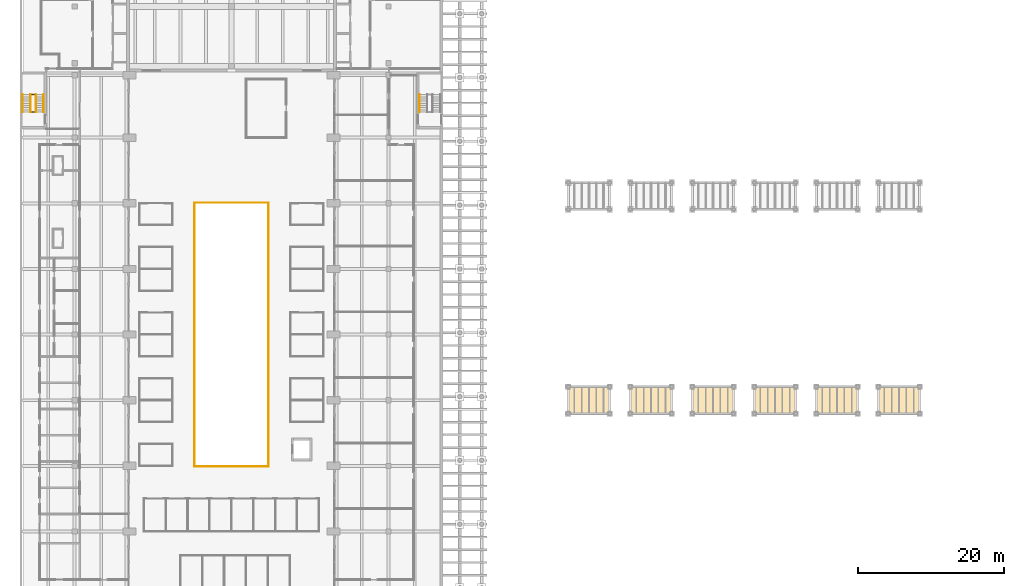
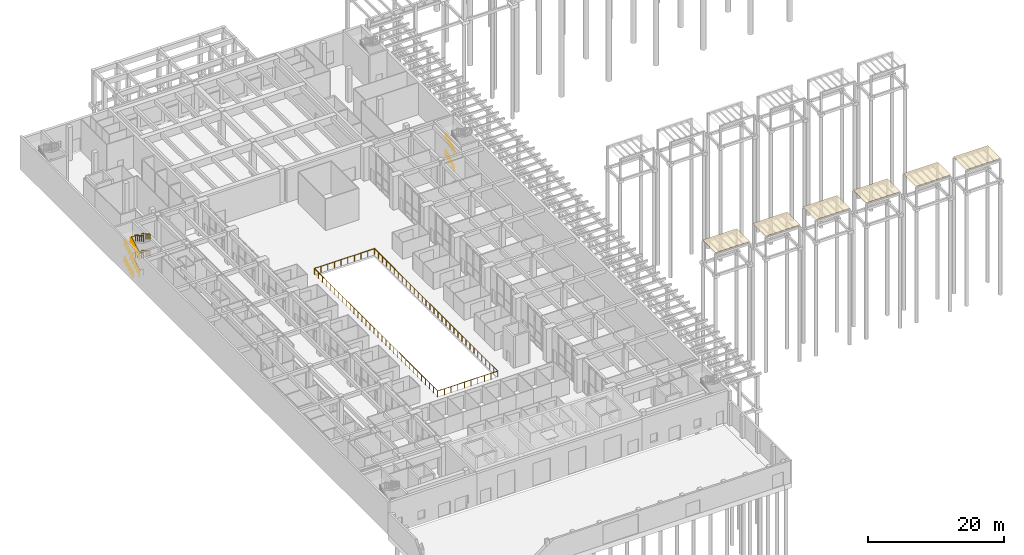
# One storey, part 47 of 51: 12 railings, 6 coverings.
"""IFC4 building model written with IfcOpenShell, lengths in metres."""

from ifc_helpers import new_model, si_unit, direction, frame, origin, origin_2d, place, context, subcontext, project, spatial, polyline, circle, outline, extrude, material, layer, layer_set, type_object, element, save


model = new_model("IFC4")

# Units and contexts
model_context = context("Model", 3, precision=1e-05, world=origin(), true_north=direction((0.0, 1.0)))
body_context = subcontext(model_context, "Body", "Model", "MODEL_VIEW")
ifc_project = project(units=[si_unit("LENGTHUNIT", "METRE"), si_unit("AREAUNIT", "SQUARE_METRE"), si_unit("VOLUMEUNIT", "CUBIC_METRE"), si_unit("PLANEANGLEUNIT", "RADIAN"), si_unit("MASSUNIT", "GRAM", prefix="KILO")], contexts=[model_context])

# Site, building, storey
site_placement = place(None, origin())
site = spatial("IfcSite", under=ifc_project, at=site_placement, CompositionType="ELEMENT")
building_placement = place(site_placement, origin())
building = spatial("IfcBuilding", under=site, at=building_placement, Name="Elmora Arch Market Hall", CompositionType="ELEMENT")
storey_placement = place(building_placement, origin())
storey = spatial("IfcBuildingStorey", under=building, at=storey_placement, Name="L00", CompositionType="ELEMENT", Elevation=0.0)

# Railings
ifc_material_1 = material(Name="Stainless steel ASTM A554 Grade 304", Category="steel")
railing_type_1 = type_object("IfcRailingType", Name="Guard 1100", PredefinedType="GUARDRAIL", material=ifc_material_1)
railing_1_placement = place(storey_placement, frame((23.919921875, 44.919921875, 0.0)))
element("IfcRailing", 1, at=railing_1_placement, inside=storey, type_object=railing_type_1, Name="Guard L00 market well", PredefinedType="GUARDRAIL", context=body_context, shape_type="SweptSolid", body=[
    extrude(circle(Radius=0.02392578125, at=origin_2d()), frame((0.0, 0.0, 1.076171875), z_axis=(1.0, 0.0, 0.0), x_axis=(0.0, 1.0, 0.0)), (0.0, 0.0, 1.0), 10.16015625),
    extrude(circle(Radius=0.02392578125, at=origin_2d()), frame((10.16015625, 0.0, 1.076171875), z_axis=(0.0, 1.0, 0.0), x_axis=(-1.0, 0.0, 0.0)), (0.0, 0.0, 1.0), 36.16015625),
    extrude(circle(Radius=0.02392578125, at=origin_2d()), frame((10.16015625, 36.16015625, 1.076171875), z_axis=(-1.0, 0.0, 0.0), x_axis=(0.0, -1.0, 0.0)), (0.0, 0.0, 1.0), 10.16015625),
    extrude(circle(Radius=0.02392578125, at=origin_2d()), frame((0.0, 36.16015625, 1.076171875), z_axis=(0.0, -1.0, 0.0), x_axis=(1.0, 0.0, 0.0)), (0.0, 0.0, 1.0), 36.10009765625),
    extrude(circle(Radius=0.02099609375, at=origin_2d()), origin(), (0.0, 0.0, 1.0), 1.052001953125),
    extrude(circle(Radius=0.02099609375, at=origin_2d()), frame((1.12890625, 0.0, 0.0)), (0.0, 0.0, 1.0), 1.052001953125),
    extrude(circle(Radius=0.02099609375, at=origin_2d()), frame((2.2578125, 0.0, 0.0)), (0.0, 0.0, 1.0), 1.052001953125),
    extrude(circle(Radius=0.02099609375, at=origin_2d()), frame((3.38671875, 0.0, 0.0)), (0.0, 0.0, 1.0), 1.052001953125),
    extrude(circle(Radius=0.02099609375, at=origin_2d()), frame((4.515625, 0.0, 0.0)), (0.0, 0.0, 1.0), 1.052001953125),
    extrude(circle(Radius=0.02099609375, at=origin_2d()), frame((5.64453125, 0.0, 0.0)), (0.0, 0.0, 1.0), 1.052001953125),
    extrude(circle(Radius=0.02099609375, at=origin_2d()), frame((6.7734375, 0.0, 0.0)), (0.0, 0.0, 1.0), 1.052001953125),
    extrude(circle(Radius=0.02099609375, at=origin_2d()), frame((7.90234375, 0.0, 0.0)), (0.0, 0.0, 1.0), 1.052001953125),
    extrude(circle(Radius=0.02099609375, at=origin_2d()), frame((9.03125, 0.0, 0.0)), (0.0, 0.0, 1.0), 1.052001953125),
    extrude(circle(Radius=0.02099609375, at=origin_2d()), frame((10.16015625, 0.0, 0.0)), (0.0, 0.0, 1.0), 1.052001953125),
    extrude(circle(Radius=0.02099609375, at=origin_2d()), frame((10.16015625, 1.16650390625, 0.0)), (0.0, 0.0, 1.0), 1.052001953125),
    extrude(circle(Radius=0.02099609375, at=origin_2d()), frame((10.16015625, 2.3330078125, 0.0)), (0.0, 0.0, 1.0), 1.052001953125),
    extrude(circle(Radius=0.02099609375, at=origin_2d()), frame((10.16015625, 3.499267578125, 0.0)), (0.0, 0.0, 1.0), 1.052001953125),
    extrude(circle(Radius=0.02099609375, at=origin_2d()), frame((10.16015625, 4.665771484375, 0.0)), (0.0, 0.0, 1.0), 1.052001953125),
    extrude(circle(Radius=0.02099609375, at=origin_2d()), frame((10.16015625, 5.832275390625, 0.0)), (0.0, 0.0, 1.0), 1.052001953125),
    extrude(circle(Radius=0.02099609375, at=origin_2d()), frame((10.16015625, 6.998779296875, 0.0)), (0.0, 0.0, 1.0), 1.052001953125),
    extrude(circle(Radius=0.02099609375, at=origin_2d()), frame((10.16015625, 8.165283203125, 0.0)), (0.0, 0.0, 1.0), 1.052001953125),
    extrude(circle(Radius=0.02099609375, at=origin_2d()), frame((10.16015625, 9.33154296875, 0.0)), (0.0, 0.0, 1.0), 1.052001953125),
    extrude(circle(Radius=0.02099609375, at=origin_2d()), frame((10.16015625, 10.498046875, 0.0)), (0.0, 0.0, 1.0), 1.052001953125),
    extrude(circle(Radius=0.02099609375, at=origin_2d()), frame((10.16015625, 11.66455078125, 0.0)), (0.0, 0.0, 1.0), 1.052001953125),
    extrude(circle(Radius=0.02099609375, at=origin_2d()), frame((10.16015625, 12.8310546875, 0.0)), (0.0, 0.0, 1.0), 1.052001953125),
    extrude(circle(Radius=0.02099609375, at=origin_2d()), frame((10.16015625, 13.99755859375, 0.0)), (0.0, 0.0, 1.0), 1.052001953125),
    extrude(circle(Radius=0.02099609375, at=origin_2d()), frame((10.16015625, 15.163818359375, 0.0)), (0.0, 0.0, 1.0), 1.052001953125),
    extrude(circle(Radius=0.02099609375, at=origin_2d()), frame((10.16015625, 16.330322265625, 0.0)), (0.0, 0.0, 1.0), 1.052001953125),
    extrude(circle(Radius=0.02099609375, at=origin_2d()), frame((10.16015625, 17.496826171875, 0.0)), (0.0, 0.0, 1.0), 1.052001953125),
    extrude(circle(Radius=0.02099609375, at=origin_2d()), frame((10.16015625, 18.663330078125, 0.0)), (0.0, 0.0, 1.0), 1.052001953125),
    extrude(circle(Radius=0.02099609375, at=origin_2d()), frame((10.16015625, 19.829833984375, 0.0)), (0.0, 0.0, 1.0), 1.052001953125),
    extrude(circle(Radius=0.02099609375, at=origin_2d()), frame((10.16015625, 20.996337890625, 0.0)), (0.0, 0.0, 1.0), 1.052001953125),
    extrude(circle(Radius=0.02099609375, at=origin_2d()), frame((10.16015625, 22.16259765625, 0.0)), (0.0, 0.0, 1.0), 1.052001953125),
    extrude(circle(Radius=0.02099609375, at=origin_2d()), frame((10.16015625, 23.3291015625, 0.0)), (0.0, 0.0, 1.0), 1.052001953125),
    extrude(circle(Radius=0.02099609375, at=origin_2d()), frame((10.16015625, 24.49560546875, 0.0)), (0.0, 0.0, 1.0), 1.052001953125),
    extrude(circle(Radius=0.02099609375, at=origin_2d()), frame((10.16015625, 25.662109375, 0.0)), (0.0, 0.0, 1.0), 1.052001953125),
    extrude(circle(Radius=0.02099609375, at=origin_2d()), frame((10.16015625, 26.82861328125, 0.0)), (0.0, 0.0, 1.0), 1.052001953125),
    extrude(circle(Radius=0.02099609375, at=origin_2d()), frame((10.16015625, 27.994873046875, 0.0)), (0.0, 0.0, 1.0), 1.052001953125),
    extrude(circle(Radius=0.02099609375, at=origin_2d()), frame((10.16015625, 29.161376953125, 0.0)), (0.0, 0.0, 1.0), 1.052001953125),
    extrude(circle(Radius=0.02099609375, at=origin_2d()), frame((10.16015625, 30.327880859375, 0.0)), (0.0, 0.0, 1.0), 1.052001953125),
    extrude(circle(Radius=0.02099609375, at=origin_2d()), frame((10.16015625, 31.494384765625, 0.0)), (0.0, 0.0, 1.0), 1.052001953125),
    extrude(circle(Radius=0.02099609375, at=origin_2d()), frame((10.16015625, 32.660888671875, 0.0)), (0.0, 0.0, 1.0), 1.052001953125),
    extrude(circle(Radius=0.02099609375, at=origin_2d()), frame((10.16015625, 33.8271484375, 0.0)), (0.0, 0.0, 1.0), 1.052001953125),
    extrude(circle(Radius=0.02099609375, at=origin_2d()), frame((10.16015625, 34.99365234375, 0.0)), (0.0, 0.0, 1.0), 1.052001953125),
    extrude(circle(Radius=0.02099609375, at=origin_2d()), frame((10.16015625, 36.16015625, 0.0)), (0.0, 0.0, 1.0), 1.052001953125),
    extrude(circle(Radius=0.02099609375, at=origin_2d()), frame((9.03125, 36.16015625, 0.0)), (0.0, 0.0, 1.0), 1.052001953125),
    extrude(circle(Radius=0.02099609375, at=origin_2d()), frame((7.90234375, 36.16015625, 0.0)), (0.0, 0.0, 1.0), 1.052001953125),
    extrude(circle(Radius=0.02099609375, at=origin_2d()), frame((6.7734375, 36.16015625, 0.0)), (0.0, 0.0, 1.0), 1.052001953125),
    extrude(circle(Radius=0.02099609375, at=origin_2d()), frame((5.64453125, 36.16015625, 0.0)), (0.0, 0.0, 1.0), 1.052001953125),
    extrude(circle(Radius=0.02099609375, at=origin_2d()), frame((4.515625, 36.16015625, 0.0)), (0.0, 0.0, 1.0), 1.052001953125),
    extrude(circle(Radius=0.02099609375, at=origin_2d()), frame((3.38671875, 36.16015625, 0.0)), (0.0, 0.0, 1.0), 1.052001953125),
    extrude(circle(Radius=0.02099609375, at=origin_2d()), frame((2.2578125, 36.16015625, 0.0)), (0.0, 0.0, 1.0), 1.052001953125),
    extrude(circle(Radius=0.02099609375, at=origin_2d()), frame((1.12890625, 36.16015625, 0.0)), (0.0, 0.0, 1.0), 1.052001953125),
    extrude(circle(Radius=0.02099609375, at=origin_2d()), frame((0.0, 36.16015625, 0.0)), (0.0, 0.0, 1.0), 1.052001953125),
    extrude(circle(Radius=0.02099609375, at=origin_2d()), frame((0.0, 34.99560546875, 0.0)), (0.0, 0.0, 1.0), 1.052001953125),
    extrude(circle(Radius=0.02099609375, at=origin_2d()), frame((0.0, 33.8310546875, 0.0)), (0.0, 0.0, 1.0), 1.052001953125),
    extrude(circle(Radius=0.02099609375, at=origin_2d()), frame((0.0, 32.66650390625, 0.0)), (0.0, 0.0, 1.0), 1.052001953125),
    extrude(circle(Radius=0.02099609375, at=origin_2d()), frame((0.0, 31.502197265625, 0.0)), (0.0, 0.0, 1.0), 1.052001953125),
    extrude(circle(Radius=0.02099609375, at=origin_2d()), frame((0.0, 30.337646484375, 0.0)), (0.0, 0.0, 1.0), 1.052001953125),
    extrude(circle(Radius=0.02099609375, at=origin_2d()), frame((0.0, 29.173095703125, 0.0)), (0.0, 0.0, 1.0), 1.052001953125),
    extrude(circle(Radius=0.02099609375, at=origin_2d()), frame((0.0, 28.008544921875, 0.0)), (0.0, 0.0, 1.0), 1.052001953125),
    extrude(circle(Radius=0.02099609375, at=origin_2d()), frame((0.0, 26.843994140625, 0.0)), (0.0, 0.0, 1.0), 1.052001953125),
    extrude(circle(Radius=0.02099609375, at=origin_2d()), frame((0.0, 25.679443359375, 0.0)), (0.0, 0.0, 1.0), 1.052001953125),
    extrude(circle(Radius=0.02099609375, at=origin_2d()), frame((0.0, 24.514892578125, 0.0)), (0.0, 0.0, 1.0), 1.052001953125),
    extrude(circle(Radius=0.02099609375, at=origin_2d()), frame((0.0, 23.350341796875, 0.0)), (0.0, 0.0, 1.0), 1.052001953125),
    extrude(circle(Radius=0.02099609375, at=origin_2d()), frame((0.0, 22.18603515625, 0.0)), (0.0, 0.0, 1.0), 1.052001953125),
    extrude(circle(Radius=0.02099609375, at=origin_2d()), frame((0.0, 21.021484375, 0.0)), (0.0, 0.0, 1.0), 1.052001953125),
    extrude(circle(Radius=0.02099609375, at=origin_2d()), frame((0.0, 19.85693359375, 0.0)), (0.0, 0.0, 1.0), 1.052001953125),
    extrude(circle(Radius=0.02099609375, at=origin_2d()), frame((0.0, 18.6923828125, 0.0)), (0.0, 0.0, 1.0), 1.052001953125),
    extrude(circle(Radius=0.02099609375, at=origin_2d()), frame((0.0, 17.52783203125, 0.0)), (0.0, 0.0, 1.0), 1.052001953125),
    extrude(circle(Radius=0.02099609375, at=origin_2d()), frame((0.0, 16.36328125, 0.0)), (0.0, 0.0, 1.0), 1.052001953125),
    extrude(circle(Radius=0.02099609375, at=origin_2d()), frame((0.0, 15.19873046875, 0.0)), (0.0, 0.0, 1.0), 1.052001953125),
    extrude(circle(Radius=0.02099609375, at=origin_2d()), frame((0.0, 14.0341796875, 0.0)), (0.0, 0.0, 1.0), 1.052001953125),
    extrude(circle(Radius=0.02099609375, at=origin_2d()), frame((0.0, 12.869873046875, 0.0)), (0.0, 0.0, 1.0), 1.052001953125),
    extrude(circle(Radius=0.02099609375, at=origin_2d()), frame((0.0, 11.705322265625, 0.0)), (0.0, 0.0, 1.0), 1.052001953125),
    extrude(circle(Radius=0.02099609375, at=origin_2d()), frame((0.0, 10.540771484375, 0.0)), (0.0, 0.0, 1.0), 1.052001953125),
    extrude(circle(Radius=0.02099609375, at=origin_2d()), frame((0.0, 9.376220703125, 0.0)), (0.0, 0.0, 1.0), 1.052001953125),
    extrude(circle(Radius=0.02099609375, at=origin_2d()), frame((0.0, 8.211669921875, 0.0)), (0.0, 0.0, 1.0), 1.052001953125),
    extrude(circle(Radius=0.02099609375, at=origin_2d()), frame((0.0, 7.047119140625, 0.0)), (0.0, 0.0, 1.0), 1.052001953125),
    extrude(circle(Radius=0.02099609375, at=origin_2d()), frame((0.0, 5.882568359375, 0.0)), (0.0, 0.0, 1.0), 1.052001953125),
    extrude(circle(Radius=0.02099609375, at=origin_2d()), frame((0.0, 4.718017578125, 0.0)), (0.0, 0.0, 1.0), 1.052001953125),
    extrude(circle(Radius=0.02099609375, at=origin_2d()), frame((0.0, 3.5537109375, 0.0)), (0.0, 0.0, 1.0), 1.052001953125),
    extrude(circle(Radius=0.02099609375, at=origin_2d()), frame((0.0, 2.38916015625, 0.0)), (0.0, 0.0, 1.0), 1.052001953125),
    extrude(circle(Radius=0.02099609375, at=origin_2d()), frame((0.0, 1.224609375, 0.0)), (0.0, 0.0, 1.0), 1.052001953125),
    extrude(circle(Radius=0.02099609375, at=origin_2d()), frame((0.0, 0.06005859375, 0.0)), (0.0, 0.0, 1.0), 1.052001953125),
])
ifc_material_2 = material(Name="Steel ASTM A500 Gr C", Category="steel")
railing_type_2 = type_object("IfcRailingType", Name="Stair guard 1100", PredefinedType="GUARDRAIL", material=ifc_material_2)
railing_2_placement = place(storey_placement, frame((2.1201171875, 93.5, 0.0)))
element("IfcRailing", 2, at=railing_2_placement, inside=storey, type_object=railing_type_2, Name="Stair ST-WN guard L00", PredefinedType="GUARDRAIL", context=body_context, shape_type="SweptSolid", body=[
    extrude(circle(Radius=0.02392578125, at=origin_2d()), frame((0.0, 0.0, 1.076171875), z_axis=(-1.0, 0.0, 0.0), x_axis=(0.0, -1.0, 0.0)), (0.0, 0.0, 1.0), 0.64013671875),
    extrude(circle(Radius=0.02392578125, at=origin_2d()), frame((-0.64013671875, 0.0, 1.076171875), z_axis=(0.0, 0.0, 1.0), x_axis=(1.0, 0.0, 0.0)), (0.0, 0.0, 1.0), 0.166748046875),
    extrude(circle(Radius=0.02392578125, at=origin_2d()), frame((-0.64013671875, 0.0, 1.24267578125), z_axis=(0.0, 0.874241147926, 0.485491931212), x_axis=(-1.0, 0.0, 0.0)), (0.0, 0.0, 1.0), 0.6865234375),
    extrude(circle(Radius=0.02392578125, at=origin_2d()), frame((-0.64013671875, 0.60009765625, 1.576171875), z_axis=(0.0, 0.874157276122, 0.485642931179), x_axis=(-1.0, 0.0, 0.0)), (0.0, 0.0, 1.0), 0.686279296875),
    extrude(circle(Radius=0.02392578125, at=origin_2d()), frame((-0.64013671875, 1.199951171875, 1.9091796875), z_axis=(0.0, 0.874090171491, 0.485763699861), x_axis=(-1.0, 0.0, 0.0)), (0.0, 0.0, 1.0), 0.6865234375),
    extrude(circle(Radius=0.02392578125, at=origin_2d()), frame((-0.64013671875, 1.800048828125, 2.24267578125), z_axis=(0.0, 0.874157276122, 0.485642931179), x_axis=(-1.0, 0.0, 0.0)), (0.0, 0.0, 1.0), 0.686279296875),
    extrude(circle(Radius=0.02392578125, at=origin_2d()), frame((-0.64013671875, 2.39990234375, 2.576171875), z_axis=(1.0, 0.0, 0.0), x_axis=(0.0, 1.0, 0.0)), (0.0, 0.0, 1.0), 0.64013671875),
    extrude(circle(Radius=0.02392578125, at=origin_2d()), frame((0.0, 2.39990234375, 2.576171875), z_axis=(0.0, 0.0, 1.0), x_axis=(1.0, 0.0, 0.0)), (0.0, 0.0, 1.0), 0.166748046875),
    extrude(circle(Radius=0.02392578125, at=origin_2d()), frame((0.0, 2.39990234375, 2.74267578125), z_axis=(0.0, -0.874157276122, 0.485642931179), x_axis=(1.0, 0.0, 0.0)), (0.0, 0.0, 1.0), 0.686279296875),
    extrude(circle(Radius=0.02392578125, at=origin_2d()), frame((0.0, 1.800048828125, 3.076171875), z_axis=(0.0, -0.874241147926, 0.485491931212), x_axis=(1.0, 0.0, 0.0)), (0.0, 0.0, 1.0), 0.6865234375),
    extrude(circle(Radius=0.02392578125, at=origin_2d()), frame((0.0, 1.199951171875, 3.4091796875), z_axis=(0.0, -0.874006220275, 0.485914732151), x_axis=(1.0, 0.0, 0.0)), (0.0, 0.0, 1.0), 0.686279296875),
    extrude(circle(Radius=0.02392578125, at=origin_2d()), frame((0.0, 0.60009765625, 3.74267578125), z_axis=(0.0, -0.874241147926, 0.485491931212), x_axis=(1.0, 0.0, 0.0)), (0.0, 0.0, 1.0), 0.6865234375),
    extrude(circle(Radius=0.02392578125, at=origin_2d()), frame((0.0, 0.0, 4.076171875), z_axis=(-1.0, 0.0, 0.0), x_axis=(0.0, -1.0, 0.0)), (0.0, 0.0, 1.0), 0.64013671875),
    extrude(circle(Radius=0.02392578125, at=origin_2d()), frame((-0.64013671875, 0.0, 4.076171875), z_axis=(0.0, 0.0, 1.0), x_axis=(1.0, 0.0, 0.0)), (0.0, 0.0, 1.0), 0.166748046875),
    extrude(circle(Radius=0.02392578125, at=origin_2d()), frame((-0.64013671875, 0.0, 4.24267578125), z_axis=(0.0, 0.874241147926, 0.485491931212), x_axis=(-1.0, 0.0, 0.0)), (0.0, 0.0, 1.0), 0.6865234375),
    extrude(circle(Radius=0.02392578125, at=origin_2d()), frame((-0.64013671875, 0.60009765625, 4.576171875), z_axis=(0.0, 0.874157276122, 0.485642931179), x_axis=(-1.0, 0.0, 0.0)), (0.0, 0.0, 1.0), 0.686279296875),
    extrude(circle(Radius=0.02392578125, at=origin_2d()), frame((-0.64013671875, 1.199951171875, 4.9091796875), z_axis=(0.0, 0.874090171491, 0.485763699861), x_axis=(-1.0, 0.0, 0.0)), (0.0, 0.0, 1.0), 0.6865234375),
    extrude(circle(Radius=0.02392578125, at=origin_2d()), frame((-0.64013671875, 1.800048828125, 5.24267578125), z_axis=(0.0, 0.874157276122, 0.485642931179), x_axis=(-1.0, 0.0, 0.0)), (0.0, 0.0, 1.0), 0.686279296875),
    extrude(circle(Radius=0.02392578125, at=origin_2d()), frame((-0.64013671875, 2.39990234375, 5.576171875), z_axis=(1.0, 0.0, 0.0), x_axis=(0.0, 1.0, 0.0)), (0.0, 0.0, 1.0), 0.64013671875),
    extrude(circle(Radius=0.02392578125, at=origin_2d()), frame((0.0, 2.39990234375, 5.576171875), z_axis=(0.0, 0.0, 1.0), x_axis=(1.0, 0.0, 0.0)), (0.0, 0.0, 1.0), 0.166748046875),
    extrude(circle(Radius=0.02392578125, at=origin_2d()), frame((0.0, 2.39990234375, 5.74267578125), z_axis=(0.0, -0.874157276122, 0.485642931179), x_axis=(1.0, 0.0, 0.0)), (0.0, 0.0, 1.0), 0.686279296875),
    extrude(circle(Radius=0.02392578125, at=origin_2d()), frame((0.0, 1.800048828125, 6.076171875), z_axis=(0.0, -0.874241147926, 0.485491931212), x_axis=(1.0, 0.0, 0.0)), (0.0, 0.0, 1.0), 0.6865234375),
    extrude(circle(Radius=0.02392578125, at=origin_2d()), frame((0.0, 1.199951171875, 6.4091796875), z_axis=(0.0, -0.874006220275, 0.485914732151), x_axis=(1.0, 0.0, 0.0)), (0.0, 0.0, 1.0), 0.686279296875),
    extrude(circle(Radius=0.02392578125, at=origin_2d()), frame((0.0, 0.60009765625, 6.74267578125), z_axis=(0.0, -0.874241147926, 0.485491931212), x_axis=(1.0, 0.0, 0.0)), (0.0, 0.0, 1.0), 0.6865234375),
    extrude(circle(Radius=0.02099609375, at=origin_2d()), origin(), (0.0, 0.0, 1.0), 1.052001953125),
    extrude(circle(Radius=0.02099609375, at=origin_2d()), frame((-0.64013671875, 0.0, 0.0)), (0.0, 0.0, 1.0), 1.052001953125),
    extrude(circle(Radius=0.02099609375, at=origin_2d()), frame((-0.64013671875, 0.0, 0.166748046875)), (0.0, 0.0, 1.0), 1.052001953125),
    extrude(circle(Radius=0.02099609375, at=origin_2d()), frame((-0.64013671875, 0.60009765625, 0.5)), (0.0, 0.0, 1.0), 1.052001953125),
    extrude(circle(Radius=0.02099609375, at=origin_2d()), frame((-0.64013671875, 1.199951171875, 0.833251953125)), (0.0, 0.0, 1.0), 1.052001953125),
    extrude(circle(Radius=0.02099609375, at=origin_2d()), frame((-0.64013671875, 1.800048828125, 1.166748046875)), (0.0, 0.0, 1.0), 1.052001953125),
    extrude(circle(Radius=0.02099609375, at=origin_2d()), frame((-0.64013671875, 2.39990234375, 1.5)), (0.0, 0.0, 1.0), 1.052001953125),
    extrude(circle(Radius=0.02099609375, at=origin_2d()), frame((0.0, 2.39990234375, 1.5)), (0.0, 0.0, 1.0), 1.052001953125),
    extrude(circle(Radius=0.02099609375, at=origin_2d()), frame((0.0, 2.39990234375, 1.666748046875)), (0.0, 0.0, 1.0), 1.052001953125),
    extrude(circle(Radius=0.02099609375, at=origin_2d()), frame((0.0, 1.800048828125, 2.0)), (0.0, 0.0, 1.0), 1.052001953125),
    extrude(circle(Radius=0.02099609375, at=origin_2d()), frame((0.0, 1.199951171875, 2.333251953125)), (0.0, 0.0, 1.0), 1.052001953125),
    extrude(circle(Radius=0.02099609375, at=origin_2d()), frame((0.0, 0.60009765625, 2.666748046875)), (0.0, 0.0, 1.0), 1.052001953125),
    extrude(circle(Radius=0.02099609375, at=origin_2d()), frame((0.0, 0.0, 3.0)), (0.0, 0.0, 1.0), 1.052001953125),
    extrude(circle(Radius=0.02099609375, at=origin_2d()), frame((-0.64013671875, 0.0, 3.0)), (0.0, 0.0, 1.0), 1.052001953125),
    extrude(circle(Radius=0.02099609375, at=origin_2d()), frame((-0.64013671875, 0.0, 3.166748046875)), (0.0, 0.0, 1.0), 1.052001953125),
    extrude(circle(Radius=0.02099609375, at=origin_2d()), frame((-0.64013671875, 0.60009765625, 3.5)), (0.0, 0.0, 1.0), 1.052001953125),
    extrude(circle(Radius=0.02099609375, at=origin_2d()), frame((-0.64013671875, 1.199951171875, 3.833251953125)), (0.0, 0.0, 1.0), 1.052001953125),
    extrude(circle(Radius=0.02099609375, at=origin_2d()), frame((-0.64013671875, 1.800048828125, 4.166748046875)), (0.0, 0.0, 1.0), 1.052001953125),
    extrude(circle(Radius=0.02099609375, at=origin_2d()), frame((-0.64013671875, 2.39990234375, 4.5)), (0.0, 0.0, 1.0), 1.052001953125),
    extrude(circle(Radius=0.02099609375, at=origin_2d()), frame((0.0, 2.39990234375, 4.5)), (0.0, 0.0, 1.0), 1.052001953125),
    extrude(circle(Radius=0.02099609375, at=origin_2d()), frame((0.0, 2.39990234375, 4.666748046875)), (0.0, 0.0, 1.0), 1.052001953125),
    extrude(circle(Radius=0.02099609375, at=origin_2d()), frame((0.0, 1.800048828125, 5.0)), (0.0, 0.0, 1.0), 1.052001953125),
    extrude(circle(Radius=0.02099609375, at=origin_2d()), frame((0.0, 1.199951171875, 5.333251953125)), (0.0, 0.0, 1.0), 1.052001953125),
    extrude(circle(Radius=0.02099609375, at=origin_2d()), frame((0.0, 0.60009765625, 5.666748046875)), (0.0, 0.0, 1.0), 1.052001953125),
    extrude(circle(Radius=0.02099609375, at=origin_2d()), frame((0.0, 0.0, 6.0)), (0.0, 0.0, 1.0), 1.052001953125),
])
ifc_material_3 = material(Name="Stainless steel ASTM A554 Grade 304", Category="steel")
railing_type_3 = type_object("IfcRailingType", Name="Stair handrail 950", PredefinedType="HANDRAIL", material=ifc_material_3)
for number, where, name in (
    (3, (54.760009765625, 93.5, 0.166748046875), "Stair ST-EN L00 flight 1 handrail"),
    (4, (54.760009765625, 93.5, 3.166748046875), "Stair ST-EN L00 flight 3 handrail"),
    (5, (0.360107421875, 93.5, 0.166748046875), "Stair ST-WN L00 flight 1 handrail"),
    (6, (1.429931640625, 93.5, 0.166748046875), "Stair ST-WN L00 flight 1 handrail"),
):
    element("IfcRailing", number, at=place(storey_placement, frame(where)), inside=storey, type_object=railing_type_3, Name=name, PredefinedType="HANDRAIL", context=body_context, shape_type="SweptSolid", body=[
        extrude(circle(Radius=0.02392578125, at=origin_2d()), frame((0.0, 0.0, 0.92578125), z_axis=(0.0, 0.874241147926, 0.485491931212), x_axis=(-1.0, 0.0, 0.0)), (0.0, 0.0, 1.0), 0.6865234375),
        extrude(circle(Radius=0.02392578125, at=origin_2d()), frame((0.0, 0.60009765625, 1.25927734375), z_axis=(0.0, 0.874157276122, 0.485642931179), x_axis=(-1.0, 0.0, 0.0)), (0.0, 0.0, 1.0), 0.686279296875),
        extrude(circle(Radius=0.02392578125, at=origin_2d()), frame((0.0, 1.199951171875, 1.59228515625), z_axis=(0.0, 0.874090171491, 0.485763699861), x_axis=(-1.0, 0.0, 0.0)), (0.0, 0.0, 1.0), 0.6865234375),
        extrude(circle(Radius=0.02392578125, at=origin_2d()), frame((0.0, 1.800048828125, 1.92578125), z_axis=(0.0, 0.874157276122, 0.485642931179), x_axis=(-1.0, 0.0, 0.0)), (0.0, 0.0, 1.0), 0.686279296875),
        extrude(circle(Radius=0.02099609375, at=origin_2d()), origin(), (0.0, 0.0, 1.0), 0.90185546875),
        extrude(circle(Radius=0.02099609375, at=origin_2d()), frame((0.0, 0.60009765625, 0.333251953125)), (0.0, 0.0, 1.0), 0.90185546875),
        extrude(circle(Radius=0.02099609375, at=origin_2d()), frame((0.0, 1.199951171875, 0.66650390625)), (0.0, 0.0, 1.0), 0.90185546875),
        extrude(circle(Radius=0.02099609375, at=origin_2d()), frame((0.0, 1.800048828125, 1.0)), (0.0, 0.0, 1.0), 0.90185546875),
        extrude(circle(Radius=0.02099609375, at=origin_2d()), frame((0.0, 2.39990234375, 1.333251953125)), (0.0, 0.0, 1.0), 0.90185546875),
    ])
for number, where, name in (
    (7, (3.239990234375, 95.89990234375, 1.666748046875), "Stair ST-WN L00 flight 2 handrail"),
    (8, (2.169921875, 95.89990234375, 1.666748046875), "Stair ST-WN L00 flight 2 handrail"),
):
    element("IfcRailing", number, at=place(storey_placement, frame(where)), inside=storey, type_object=railing_type_3, Name=name, PredefinedType="HANDRAIL", context=body_context, shape_type="SweptSolid", body=[
        extrude(circle(Radius=0.02392578125, at=origin_2d()), frame((0.0, 0.0, 0.92578125), z_axis=(0.0, -0.874157276122, 0.485642931179), x_axis=(1.0, 0.0, 0.0)), (0.0, 0.0, 1.0), 0.686279296875),
        extrude(circle(Radius=0.02392578125, at=origin_2d()), frame((0.0, -0.599853515625, 1.25927734375), z_axis=(0.0, -0.874241147926, 0.485491931212), x_axis=(1.0, 0.0, 0.0)), (0.0, 0.0, 1.0), 0.6865234375),
        extrude(circle(Radius=0.02392578125, at=origin_2d()), frame((0.0, -1.199951171875, 1.59228515625), z_axis=(0.0, -0.874006220275, 0.485914732151), x_axis=(1.0, 0.0, 0.0)), (0.0, 0.0, 1.0), 0.686279296875),
        extrude(circle(Radius=0.02392578125, at=origin_2d()), frame((0.0, -1.7998046875, 1.92578125), z_axis=(0.0, -0.874241147926, 0.485491931212), x_axis=(1.0, 0.0, 0.0)), (0.0, 0.0, 1.0), 0.6865234375),
        extrude(circle(Radius=0.02099609375, at=origin_2d()), origin(), (0.0, 0.0, 1.0), 0.90185546875),
        extrude(circle(Radius=0.02099609375, at=origin_2d()), frame((0.0, -0.599853515625, 0.333251953125)), (0.0, 0.0, 1.0), 0.90185546875),
        extrude(circle(Radius=0.02099609375, at=origin_2d()), frame((0.0, -1.199951171875, 0.66650390625)), (0.0, 0.0, 1.0), 0.90185546875),
        extrude(circle(Radius=0.02099609375, at=origin_2d()), frame((0.0, -1.7998046875, 1.0)), (0.0, 0.0, 1.0), 0.90185546875),
        extrude(circle(Radius=0.02099609375, at=origin_2d()), frame((0.0, -2.39990234375, 1.333251953125)), (0.0, 0.0, 1.0), 0.90185546875),
    ])
for number, where, name in (
    (9, (0.360107421875, 93.5, 3.166748046875), "Stair ST-WN L00 flight 3 handrail"),
    (10, (1.429931640625, 93.5, 3.166748046875), "Stair ST-WN L00 flight 3 handrail"),
):
    element("IfcRailing", number, at=place(storey_placement, frame(where)), inside=storey, type_object=railing_type_3, Name=name, PredefinedType="HANDRAIL", context=body_context, shape_type="SweptSolid", body=[
        extrude(circle(Radius=0.02392578125, at=origin_2d()), frame((0.0, 0.0, 0.92578125), z_axis=(0.0, 0.874241147926, 0.485491931212), x_axis=(-1.0, 0.0, 0.0)), (0.0, 0.0, 1.0), 0.6865234375),
        extrude(circle(Radius=0.02392578125, at=origin_2d()), frame((0.0, 0.60009765625, 1.25927734375), z_axis=(0.0, 0.874157276122, 0.485642931179), x_axis=(-1.0, 0.0, 0.0)), (0.0, 0.0, 1.0), 0.686279296875),
        extrude(circle(Radius=0.02392578125, at=origin_2d()), frame((0.0, 1.199951171875, 1.59228515625), z_axis=(0.0, 0.874090171491, 0.485763699861), x_axis=(-1.0, 0.0, 0.0)), (0.0, 0.0, 1.0), 0.6865234375),
        extrude(circle(Radius=0.02392578125, at=origin_2d()), frame((0.0, 1.800048828125, 1.92578125), z_axis=(0.0, 0.874157276122, 0.485642931179), x_axis=(-1.0, 0.0, 0.0)), (0.0, 0.0, 1.0), 0.686279296875),
        extrude(circle(Radius=0.02099609375, at=origin_2d()), origin(), (0.0, 0.0, 1.0), 0.90185546875),
        extrude(circle(Radius=0.02099609375, at=origin_2d()), frame((0.0, 0.60009765625, 0.333251953125)), (0.0, 0.0, 1.0), 0.90185546875),
        extrude(circle(Radius=0.02099609375, at=origin_2d()), frame((0.0, 1.199951171875, 0.66650390625)), (0.0, 0.0, 1.0), 0.90185546875),
        extrude(circle(Radius=0.02099609375, at=origin_2d()), frame((0.0, 1.800048828125, 1.0)), (0.0, 0.0, 1.0), 0.90185546875),
        extrude(circle(Radius=0.02099609375, at=origin_2d()), frame((0.0, 2.39990234375, 1.333251953125)), (0.0, 0.0, 1.0), 0.90185546875),
    ])
for number, where, name in (
    (11, (3.239990234375, 95.89990234375, 4.666748046875), "Stair ST-WN L00 flight 4 handrail"),
    (12, (2.169921875, 95.89990234375, 4.666748046875), "Stair ST-WN L00 flight 4 handrail"),
):
    element("IfcRailing", number, at=place(storey_placement, frame(where)), inside=storey, type_object=railing_type_3, Name=name, PredefinedType="HANDRAIL", context=body_context, shape_type="SweptSolid", body=[
        extrude(circle(Radius=0.02392578125, at=origin_2d()), frame((0.0, 0.0, 0.92578125), z_axis=(0.0, -0.874157276122, 0.485642931179), x_axis=(1.0, 0.0, 0.0)), (0.0, 0.0, 1.0), 0.686279296875),
        extrude(circle(Radius=0.02392578125, at=origin_2d()), frame((0.0, -0.599853515625, 1.25927734375), z_axis=(0.0, -0.874241147926, 0.485491931212), x_axis=(1.0, 0.0, 0.0)), (0.0, 0.0, 1.0), 0.6865234375),
        extrude(circle(Radius=0.02392578125, at=origin_2d()), frame((0.0, -1.199951171875, 1.59228515625), z_axis=(0.0, -0.874006220275, 0.485914732151), x_axis=(1.0, 0.0, 0.0)), (0.0, 0.0, 1.0), 0.686279296875),
        extrude(circle(Radius=0.02392578125, at=origin_2d()), frame((0.0, -1.7998046875, 1.92578125), z_axis=(0.0, -0.874241147926, 0.485491931212), x_axis=(1.0, 0.0, 0.0)), (0.0, 0.0, 1.0), 0.6865234375),
        extrude(circle(Radius=0.02099609375, at=origin_2d()), origin(), (0.0, 0.0, 1.0), 0.90185546875),
        extrude(circle(Radius=0.02099609375, at=origin_2d()), frame((0.0, -0.599853515625, 0.333251953125)), (0.0, 0.0, 1.0), 0.90185546875),
        extrude(circle(Radius=0.02099609375, at=origin_2d()), frame((0.0, -1.199951171875, 0.66650390625)), (0.0, 0.0, 1.0), 0.90185546875),
        extrude(circle(Radius=0.02099609375, at=origin_2d()), frame((0.0, -1.7998046875, 1.0)), (0.0, 0.0, 1.0), 0.90185546875),
        extrude(circle(Radius=0.02099609375, at=origin_2d()), frame((0.0, -2.39990234375, 1.333251953125)), (0.0, 0.0, 1.0), 0.90185546875),
    ])

# Coverings
ifc_material_4 = material(Name="Standing seam sheet roofing")
ifc_layer = layer(ifc_material_4, 0.0400390625)
ifc_layer_set = layer_set([ifc_layer], Name="Standing seam sheet roofing")
covering_type = type_object("IfcCoveringType", Name="Stall roofing 40", PredefinedType="ROOFING", material=ifc_layer_set)
covering_1_placement = place(storey_placement, frame((0.0, 0.0, 3.5)))
element("IfcCovering", 13, at=covering_1_placement, inside=storey, type_object=covering_type, Name="Stall roofing LL-11", PredefinedType="ROOFING", context=body_context, shape_type="SweptSolid", body=[
    extrude(outline(polyline([(80.89990234375, 52.10009765625), (75.10009765625, 52.10009765625), (75.10009765625, 55.89990234375), (80.89990234375, 55.89990234375), (80.89990234375, 52.10009765625)])), origin(), (0.0, 0.0, 1.0), 0.0400390625),
])
covering_2_placement = place(storey_placement, frame((0.0, 0.0, 3.5)))
element("IfcCovering", 14, at=covering_2_placement, inside=storey, type_object=covering_type, Name="Stall roofing LL-12", PredefinedType="ROOFING", context=body_context, shape_type="SweptSolid", body=[
    extrude(outline(polyline([(89.39990234375, 52.10009765625), (83.60009765625, 52.10009765625), (83.60009765625, 55.89990234375), (89.39990234375, 55.89990234375), (89.39990234375, 52.10009765625)])), origin(), (0.0, 0.0, 1.0), 0.0400390625),
])
covering_3_placement = place(storey_placement, frame((0.0, 0.0, 3.5)))
element("IfcCovering", 15, at=covering_3_placement, inside=storey, type_object=covering_type, Name="Stall roofing LL-13", PredefinedType="ROOFING", context=body_context, shape_type="SweptSolid", body=[
    extrude(outline(polyline([(97.89990234375, 52.10009765625), (92.10009765625, 52.10009765625), (92.10009765625, 55.89990234375), (97.89990234375, 55.89990234375), (97.89990234375, 52.10009765625)])), origin(), (0.0, 0.0, 1.0), 0.0400390625),
])
covering_4_placement = place(storey_placement, frame((0.0, 0.0, 3.5)))
element("IfcCovering", 16, at=covering_4_placement, inside=storey, type_object=covering_type, Name="Stall roofing LL-14", PredefinedType="ROOFING", context=body_context, shape_type="SweptSolid", body=[
    extrude(outline(polyline([(106.39990234375, 52.10009765625), (100.60009765625, 52.10009765625), (100.60009765625, 55.89990234375), (106.39990234375, 55.89990234375), (106.39990234375, 52.10009765625)])), origin(), (0.0, 0.0, 1.0), 0.0400390625),
])
covering_5_placement = place(storey_placement, frame((0.0, 0.0, 3.5)))
element("IfcCovering", 17, at=covering_5_placement, inside=storey, type_object=covering_type, Name="Stall roofing LL-15", PredefinedType="ROOFING", context=body_context, shape_type="SweptSolid", body=[
    extrude(outline(polyline([(114.89990234375, 52.10009765625), (109.10009765625, 52.10009765625), (109.10009765625, 55.89990234375), (114.89990234375, 55.89990234375), (114.89990234375, 52.10009765625)])), origin(), (0.0, 0.0, 1.0), 0.0400390625),
])
covering_6_placement = place(storey_placement, frame((0.0, 0.0, 3.5)))
element("IfcCovering", 18, at=covering_6_placement, inside=storey, type_object=covering_type, Name="Stall roofing LL-16", PredefinedType="ROOFING", context=body_context, shape_type="SweptSolid", body=[
    extrude(outline(polyline([(123.39990234375, 52.10009765625), (117.60009765625, 52.10009765625), (117.60009765625, 55.89990234375), (123.39990234375, 55.89990234375), (123.39990234375, 52.10009765625)])), origin(), (0.0, 0.0, 1.0), 0.0400390625),
])

save(model, "model.ifc")
